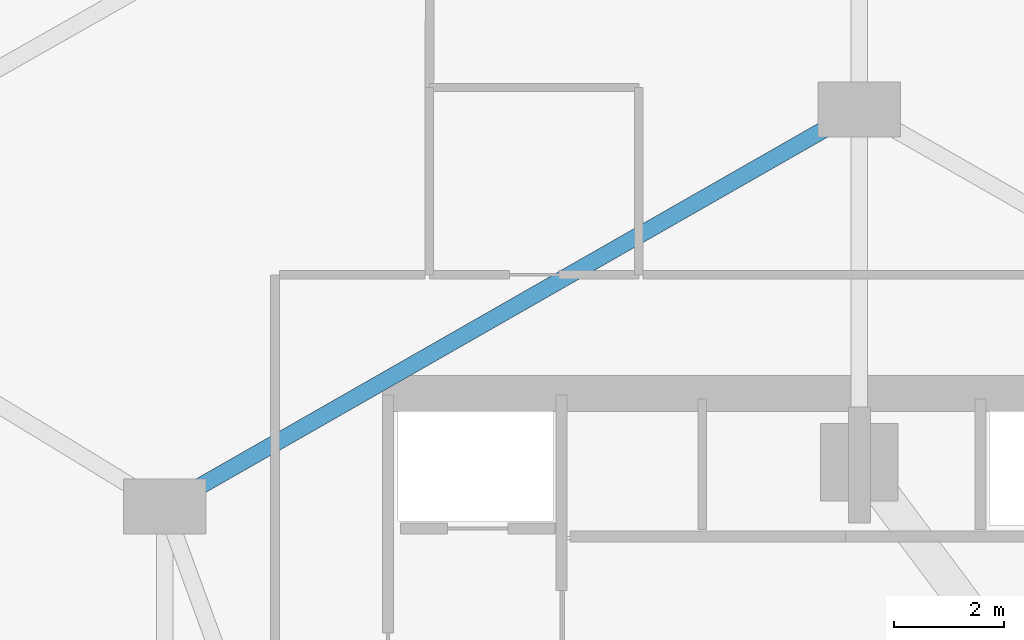
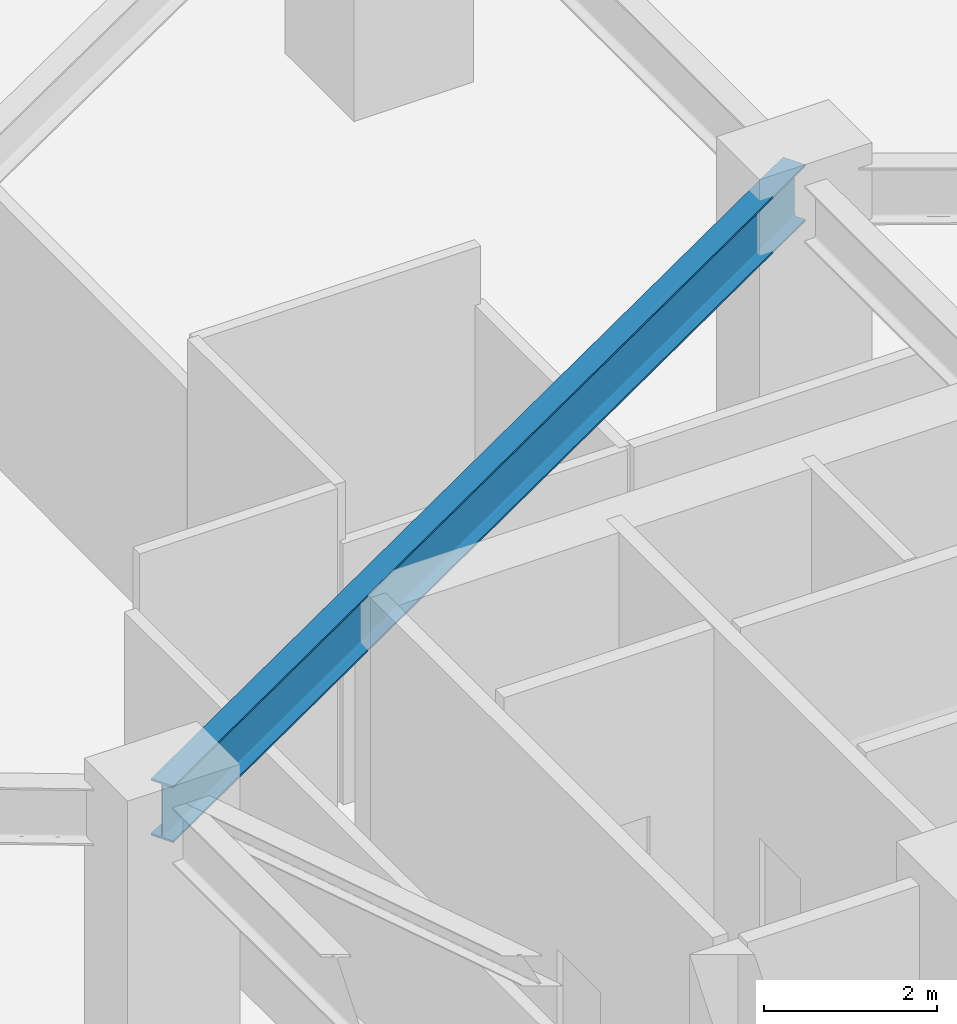
# One storey, part 7 of 23: 1 beam.
"""IFC4 building model written with IfcOpenShell, lengths in metres."""

from ifc_helpers import new_model, si_unit, direction, frame, origin, origin_2d, place, context, subcontext, project, spatial, i_section, extrude, material, material_profile, profile_set, type_object, element, save


model = new_model("IFC4")

# Units and contexts
model_context = context("Model", 3, precision=1e-05, world=origin(), true_north=direction((0.0, 1.0)))
body_context = subcontext(model_context, "Body", "Model", "MODEL_VIEW")
ifc_project = project(units=[si_unit("LENGTHUNIT", "METRE"), si_unit("AREAUNIT", "SQUARE_METRE"), si_unit("VOLUMEUNIT", "CUBIC_METRE"), si_unit("PLANEANGLEUNIT", "RADIAN"), si_unit("MASSUNIT", "GRAM", prefix="KILO")], contexts=[model_context])

# Site, building, storey
site_placement = place(None, origin())
site = spatial("IfcSite", under=ifc_project, at=site_placement, CompositionType="ELEMENT")
building_placement = place(site_placement, origin())
building = spatial("IfcBuilding", under=site, at=building_placement, Name="Miruveldt Soraemaru", CompositionType="ELEMENT")
storey_placement = place(building_placement, frame((0.0, 0.0, 14.39990234375)))
storey = spatial("IfcBuildingStorey", under=building, at=storey_placement, Name="L04", CompositionType="ELEMENT", Elevation=14.39990234375)

# Beam
ifc_material = material(Name="Steel S460 (460 MPa)", Category="steel")
ifc_material_profile = material_profile(ifc_material, i_section(OverallWidth=0.300048828125, OverallDepth=0.800048828125, WebThickness=0.013916015625, FlangeThickness=0.02587890625, FilletRadius=0.028076171875, at=origin_2d()), Name="Steel S460 (460 MPa)", Category="steel")
ifc_profile_set = profile_set([ifc_material_profile], Name="Steel S460 (460 MPa)")
beam_type = type_object("IfcBeamType", Name="BM-ST-H800", PredefinedType="BEAM", material=ifc_profile_set)
beam_placement = place(storey_placement, frame((31.39990234375, 50.39990234375, 4.10009765625), z_axis=(0.868239001029, 0.496146185203, 0.0), x_axis=(-0.496146185203, 0.868239001029, 0.0)))
element("IfcBeam", 1, at=beam_placement, inside=storey, type_object=beam_type, Name="L04 Inner Ring Girder 6", PredefinedType="BEAM", context=body_context, shape_type="SweptSolid", body=[
    extrude(i_section(OverallWidth=0.300048828125, OverallDepth=0.800048828125, WebThickness=0.013916015625, FlangeThickness=0.02587890625, FilletRadius=0.028076171875, at=origin_2d()), origin(), (0.0, 0.0, 1.0), 14.51220703125),
])

save(model, "model.ifc")
